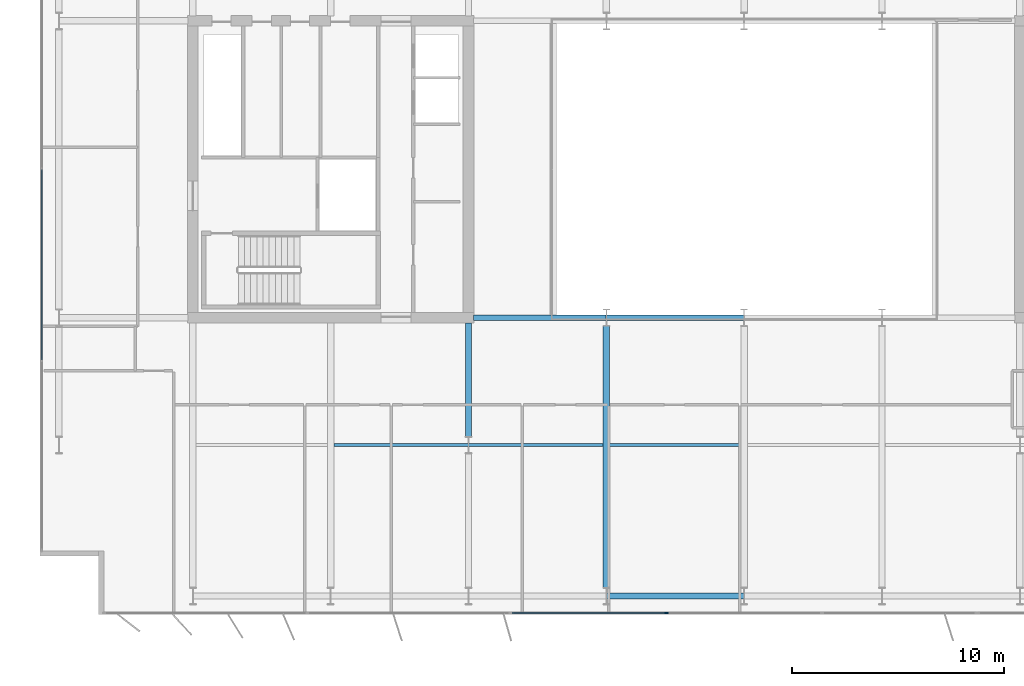
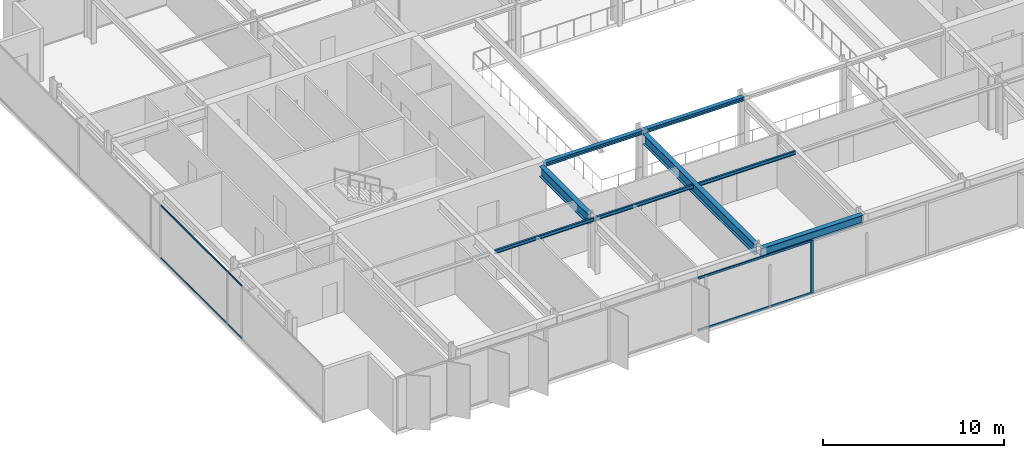
# One storey, part 4 of 23: 8 beams, 5 members, 2 elements without a shape of their own.
"""IFC4 building model written with IfcOpenShell, lengths in metres."""

from ifc_helpers import new_model, si_unit, direction, frame, origin, origin_2d, place, context, subcontext, project, spatial, rectangle, i_section, extrude, material, layer, layer_set, material_profile, profile_set, type_object, element, aggregate, save


model = new_model("IFC4")

# Units and contexts
model_context = context("Model", 3, precision=1e-05, world=origin(), true_north=direction((0.0, 1.0)))
body_context = subcontext(model_context, "Body", "Model", "MODEL_VIEW")
ifc_project = project(units=[si_unit("LENGTHUNIT", "METRE"), si_unit("AREAUNIT", "SQUARE_METRE"), si_unit("VOLUMEUNIT", "CUBIC_METRE"), si_unit("PLANEANGLEUNIT", "RADIAN"), si_unit("MASSUNIT", "GRAM", prefix="KILO")], contexts=[model_context])

# Site, building, storey
site_placement = place(None, origin())
site = spatial("IfcSite", under=ifc_project, at=site_placement, CompositionType="ELEMENT")
building_placement = place(site_placement, origin())
building = spatial("IfcBuilding", under=site, at=building_placement, Name="Putna Gate Headquarters", CompositionType="ELEMENT")
storey_placement = place(building_placement, frame((0.0, 0.0, 221.39990234375)))
storey = spatial("IfcBuildingStorey", under=building, at=storey_placement, Name="L55", CompositionType="ELEMENT", Elevation=221.39990234375)

# Beams
ifc_material_1 = material(Name="Steel S355J2", Category="steel")
ifc_material_profile_1 = material_profile(ifc_material_1, i_section(OverallWidth=0.260009765625, OverallDepth=0.260009765625, WebThickness=0.010009765625, FlangeThickness=0.017578125, at=origin_2d()), Name="Steel S355J2")
ifc_profile_set_1 = profile_set([ifc_material_profile_1], Name="Steel S355J2")
beam_type_1 = type_object("IfcBeamType", Name="BM-ATRIUM-HEB260", PredefinedType="BEAM", material=ifc_profile_set_1)
beam_1_placement = place(storey_placement, frame((26.235107421875, 19.0, 3.4501953125), z_axis=(1.0, 0.0, 0.0), x_axis=(0.0, 1.0, 0.0)))
element("IfcBeam", 1, at=beam_1_placement, inside=storey, type_object=beam_type_1, Name="L55 Atrium Edge Beam AS1", PredefinedType="BEAM", context=body_context, shape_type="SweptSolid", body=[
    extrude(i_section(OverallWidth=0.260009765625, OverallDepth=0.260009765625, WebThickness=0.010009765625, FlangeThickness=0.017578125, at=origin_2d()), origin(), (0.0, 0.0, 1.0), 6.2587890625),
])
beam_2_placement = place(storey_placement, frame((32.506103515625, 19.0, 3.4501953125), z_axis=(1.0, 0.0, 0.0), x_axis=(0.0, 1.0, 0.0)))
element("IfcBeam", 2, at=beam_2_placement, inside=storey, type_object=beam_type_1, Name="L55 Atrium Edge Beam AS2", PredefinedType="BEAM", context=body_context, shape_type="SweptSolid", body=[
    extrude(i_section(OverallWidth=0.260009765625, OverallDepth=0.260009765625, WebThickness=0.010009765625, FlangeThickness=0.017578125, at=origin_2d()), origin(), (0.0, 0.0, 1.0), 6.48779296875),
])
ifc_material_profile_2 = material_profile(ifc_material_1, i_section(OverallWidth=0.300048828125, OverallDepth=0.699951171875, WebThickness=0.01708984375, FlangeThickness=0.031982421875, at=origin_2d()), Name="Steel S355J2")
ifc_profile_set_2 = profile_set([ifc_material_profile_2], Name="Steel S355J2")
beam_type_2 = type_object("IfcBeamType", Name="BM-GIRD-B-HEB700", PredefinedType="USERDEFINED", material=ifc_profile_set_2)
beam_3_placement = place(storey_placement, frame((26.0, 13.39501953125, 3.22998046875), z_axis=(0.0, 1.0, 0.0), x_axis=(-1.0, 0.0, 0.0)))
element("IfcBeam", 3, at=beam_3_placement, inside=storey, type_object=beam_type_2, Name="L55 South Primary Girder X26-2", ObjectType="GIRDER", PredefinedType="USERDEFINED", context=body_context, shape_type="SweptSolid", body=[
    extrude(i_section(OverallWidth=0.300048828125, OverallDepth=0.699951171875, WebThickness=0.01708984375, FlangeThickness=0.031982421875, at=origin_2d()), origin(), (0.0, 0.0, 1.0), 5.369873046875),
])
beam_4_placement = place(storey_placement, frame((32.5, 6.27490234375, 3.22998046875), z_axis=(0.0, 1.0, 0.0), x_axis=(-1.0, 0.0, 0.0)))
element("IfcBeam", 4, at=beam_4_placement, inside=storey, type_object=beam_type_2, Name="L55 South Primary Girder X32", ObjectType="GIRDER", PredefinedType="USERDEFINED", context=body_context, shape_type="SweptSolid", body=[
    extrude(i_section(OverallWidth=0.300048828125, OverallDepth=0.699951171875, WebThickness=0.01708984375, FlangeThickness=0.031982421875, at=origin_2d()), origin(), (0.0, 0.0, 1.0), 12.330078125),
])
ifc_material_profile_3 = material_profile(ifc_material_1, i_section(OverallWidth=0.1201171875, OverallDepth=0.239990234375, WebThickness=0.006103515625, FlangeThickness=0.009765625, at=origin_2d()), Name="Steel S355J2")
ifc_profile_set_3 = profile_set([ifc_material_profile_3], Name="Steel S355J2")
beam_type_3 = type_object("IfcBeamType", Name="BM-SEC-Z4-IPE240", PredefinedType="JOIST", material=ifc_profile_set_3)
for number, where, z_axis, x_axis, name in (
    (5, (19.654052734375, 13.0, 3.460205078125), (1.0, 0.0, 0.0), (0.0, 1.0, 0.0), "L55 South Secondary Beam 2"),
    (6, (26.006103515625, 13.0, 3.460205078125), (1.0, 0.0, 0.0), (0.0, 1.0, 0.0), "L55 South Secondary Beam 3"),
):
    element("IfcBeam", number, at=place(storey_placement, frame(where, z_axis=z_axis, x_axis=x_axis)), inside=storey, type_object=beam_type_3, Name=name, PredefinedType="JOIST", context=body_context, shape_type="SweptSolid", body=[
        extrude(i_section(OverallWidth=0.1201171875, OverallDepth=0.239990234375, WebThickness=0.006103515625, FlangeThickness=0.009765625, at=origin_2d()), origin(), (0.0, 0.0, 1.0), 6.33984375),
    ])
beam_5_placement = place(storey_placement, frame((32.654052734375, 13.0, 3.460205078125), z_axis=(1.0, 0.0, 0.0), x_axis=(0.0, 1.0, 0.0)))
element("IfcBeam", 7, at=beam_5_placement, inside=storey, type_object=beam_type_3, Name="L55 South Secondary Beam 4", PredefinedType="JOIST", context=body_context, shape_type="SweptSolid", body=[
    extrude(i_section(OverallWidth=0.1201171875, OverallDepth=0.239990234375, WebThickness=0.006103515625, FlangeThickness=0.009765625, at=origin_2d()), origin(), (0.0, 0.0, 1.0), 6.19189453125),
])
ifc_material_profile_4 = material_profile(ifc_material_1, i_section(OverallWidth=0.300048828125, OverallDepth=0.590087890625, WebThickness=0.012939453125, FlangeThickness=0.02490234375, at=origin_2d()), Name="Steel S355J2")
ifc_profile_set_4 = profile_set([ifc_material_profile_4], Name="Steel S355J2")
beam_type_4 = type_object("IfcBeamType", Name="BM-SPAN-Z4-HEA600", PredefinedType="SPANDREL", material=ifc_profile_set_4)
beam_6_placement = place(storey_placement, frame((32.506103515625, 5.8798828125, 3.28515625), z_axis=(1.0, 0.0, 0.0), x_axis=(0.0, 1.0, 0.0)))
element("IfcBeam", 8, at=beam_6_placement, inside=storey, type_object=beam_type_4, Name="L55 S Perimeter Spandrel 4", PredefinedType="SPANDREL", context=body_context, shape_type="SweptSolid", body=[
    extrude(i_section(OverallWidth=0.300048828125, OverallDepth=0.590087890625, WebThickness=0.012939453125, FlangeThickness=0.02490234375, at=origin_2d()), origin(), (0.0, 0.0, 1.0), 6.48779296875),
])

# Curtain wall, member
ifc_material_2 = material(Name="Anodised bronze aluminium curtain wall", Category="aluminium")
ifc_layer_1 = layer(ifc_material_2, 0.179931640625)
ifc_layer_set_1 = layer_set([ifc_layer_1], Name="Anodised bronze aluminium curtain wall")
curtain_wall_type_1 = type_object("IfcCurtainWallType", Name="CW-SYS-ATR", PredefinedType="USERDEFINED", material=ifc_layer_set_1)
curtain_wall_1_placement = place(storey_placement, origin())
curtain_wall_1 = element("IfcCurtainWall", 9, at=curtain_wall_1_placement, inside=storey, type_object=curtain_wall_type_1, Name="L55 South Atrium Clear Glazing", ObjectType="ATRIUM GLAZING", PredefinedType="USERDEFINED")
ifc_material_3 = material(Name="Anodised bronze aluminium EN AW-6060", Category="aluminium")
ifc_material_profile_5 = material_profile(ifc_material_3, rectangle(XDim=0.070068359375, YDim=0.179931640625, at=origin_2d()), Name="Anodised bronze aluminium EN AW-6060")
ifc_profile_set_5 = profile_set([ifc_material_profile_5], Name="Anodised bronze aluminium EN AW-6060")
member_type_1 = type_object("IfcMemberType", Name="MULL-CWM-AT", PredefinedType="MULLION", material=ifc_profile_set_5)
member_1_placement = place(storey_placement, frame((35.333251953125, 5.080078125, 0.0), z_axis=(0.0, 0.0, 1.0), x_axis=(0.0, 1.0, 0.0)))
member_1 = element("IfcMember", 10, at=member_1_placement, type_object=member_type_1, Name="CWS-AT mullion 2", PredefinedType="MULLION", context=body_context, shape_type="SweptSolid", body=[
    extrude(rectangle(XDim=0.070068359375, YDim=0.179931640625, at=origin_2d()), origin(), (0.0, 0.0, 1.0), 3.580078125),
])

# Curtain wall, members
ifc_layer_2 = layer(ifc_material_2, 0.139892578125)
ifc_layer_set_2 = layer_set([ifc_layer_2], Name="Anodised bronze aluminium curtain wall")
curtain_wall_type_2 = type_object("IfcCurtainWallType", Name="CW-SYS-Z4", PredefinedType="USERDEFINED", material=ifc_layer_set_2)
curtain_wall_2_placement = place(storey_placement, origin())
curtain_wall_2 = element("IfcCurtainWall", 11, at=curtain_wall_2_placement, inside=storey, type_object=curtain_wall_type_2, Name="L55 West Curtain Wall", ObjectType="STICK CURTAIN WALL", PredefinedType="USERDEFINED")
ifc_material_profile_6 = material_profile(ifc_material_3, rectangle(XDim=0.06005859375, YDim=0.10009765625, at=origin_2d()), Name="Anodised bronze aluminium EN AW-6060")
ifc_profile_set_6 = profile_set([ifc_material_profile_6], Name="Anodised bronze aluminium EN AW-6060")
member_type_2 = type_object("IfcMemberType", Name="TRAN-CWT-4", PredefinedType="USERDEFINED", material=ifc_profile_set_6)
member_2_placement = place(storey_placement, frame((5.8798828125, 17.030029296875, 0.030029296875), z_axis=(0.0, 1.0, 0.0), x_axis=(-1.0, 0.0, 0.0)))
member_2 = element("IfcMember", 12, at=member_2_placement, type_object=member_type_2, Name="CWS-4 transom 2.1", ObjectType="TRANSOM", PredefinedType="USERDEFINED", context=body_context, shape_type="SweptSolid", body=[
    extrude(rectangle(XDim=0.06005859375, YDim=0.10009765625, at=origin_2d()), origin(), (0.0, 0.0, 1.0), 8.93994140625),
])
member_3_placement = place(storey_placement, frame((5.8798828125, 17.030029296875, 3.550048828125), z_axis=(0.0, 1.0, 0.0), x_axis=(-1.0, 0.0, 0.0)))
member_3 = element("IfcMember", 13, at=member_3_placement, type_object=member_type_2, Name="CWS-4 transom 2.2", ObjectType="TRANSOM", PredefinedType="USERDEFINED", context=body_context, shape_type="SweptSolid", body=[
    extrude(rectangle(XDim=0.06005859375, YDim=0.10009765625, at=origin_2d()), origin(), (0.0, 0.0, 1.0), 8.93994140625),
])
aggregate(curtain_wall_2, [member_2, member_3])

# Member
ifc_material_profile_7 = material_profile(ifc_material_3, rectangle(XDim=0.070068359375, YDim=0.139892578125, at=origin_2d()), Name="Anodised bronze aluminium EN AW-6060")
ifc_profile_set_7 = profile_set([ifc_material_profile_7], Name="Anodised bronze aluminium EN AW-6060")
member_type_3 = type_object("IfcMemberType", Name="TRAN-CWT-AT", PredefinedType="USERDEFINED", material=ifc_profile_set_7)
member_4_placement = place(storey_placement, frame((28.070068359375, 5.080078125, 0.03515625), z_axis=(1.0, 0.0, 0.0), x_axis=(0.0, 1.0, 0.0)))
member_4 = element("IfcMember", 14, at=member_4_placement, type_object=member_type_3, Name="CWS-AT transom 1.1", ObjectType="TRANSOM", PredefinedType="USERDEFINED", context=body_context, shape_type="SweptSolid", body=[
    extrude(rectangle(XDim=0.070068359375, YDim=0.139892578125, at=origin_2d()), origin(), (0.0, 0.0, 1.0), 7.228271484375),
])

member_5_placement = place(storey_placement, frame((28.070068359375, 5.080078125, 3.545166015625), z_axis=(1.0, 0.0, 0.0), x_axis=(0.0, 1.0, 0.0)))
member_5 = element("IfcMember", 15, at=member_5_placement, type_object=member_type_3, Name="CWS-AT transom 1.2", ObjectType="TRANSOM", PredefinedType="USERDEFINED", context=body_context, shape_type="SweptSolid", body=[
    extrude(rectangle(XDim=0.070068359375, YDim=0.139892578125, at=origin_2d()), origin(), (0.0, 0.0, 1.0), 7.228271484375),
])

aggregate(curtain_wall_1, [member_1, member_4, member_5])

save(model, "model.ifc")
